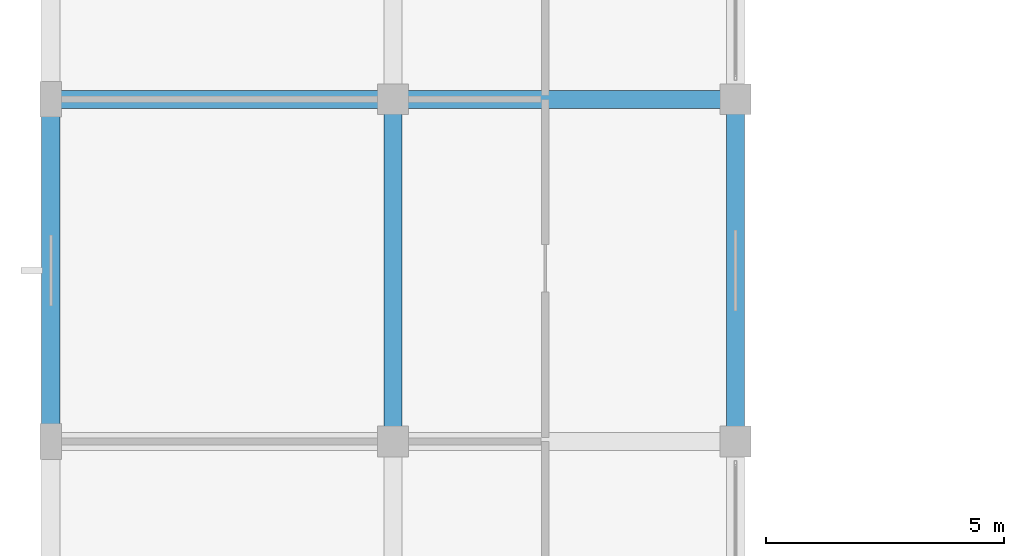
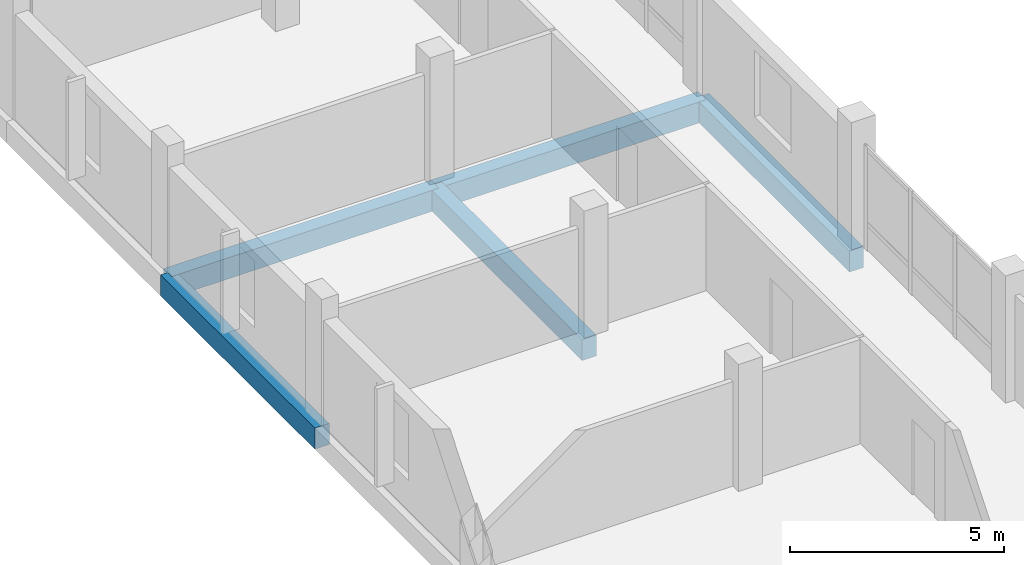
# One storey, part 4 of 93: 5 beams.
"""IFC4 building model written with IfcOpenShell, lengths in metres."""

from ifc_helpers import new_model, si_unit, direction, frame, origin, origin_2d, place, context, subcontext, project, spatial, rectangle, extrude, material, material_profile, profile_set, type_object, element, save


model = new_model("IFC4")

# Units and contexts
model_context = context("Model", 3, precision=1e-05, world=origin(), true_north=direction((0.0, 1.0)))
body_context = subcontext(model_context, "Body", "Model", "MODEL_VIEW")
ifc_project = project(units=[si_unit("LENGTHUNIT", "METRE"), si_unit("AREAUNIT", "SQUARE_METRE"), si_unit("VOLUMEUNIT", "CUBIC_METRE"), si_unit("PLANEANGLEUNIT", "RADIAN"), si_unit("MASSUNIT", "GRAM", prefix="KILO")], contexts=[model_context])

# Site, building, storey
site_placement = place(None, origin())
site = spatial("IfcSite", under=ifc_project, at=site_placement, CompositionType="ELEMENT")
building_placement = place(site_placement, origin())
building = spatial("IfcBuilding", under=site, at=building_placement, Name="Zornivar Specialist Clinic", CompositionType="ELEMENT")
storey_placement = place(building_placement, frame((0.0, 0.0, 8.39990234375)))
storey = spatial("IfcBuildingStorey", under=building, at=storey_placement, Name="L02", CompositionType="ELEMENT", Elevation=8.39990234375)

# Beams
ifc_material_1 = material(Name="Concrete C30/37", Category="concrete")
ifc_material_profile_1 = material_profile(ifc_material_1, rectangle(XDim=0.3798828125, YDim=0.60009765625, at=origin_2d()), Name="RC 380x600")
ifc_profile_set_1 = profile_set([ifc_material_profile_1], Name="Concrete C30/37")
beam_type_1 = type_object("IfcBeamType", Name="BM-RC-380x600", PredefinedType="BEAM", material=ifc_profile_set_1)
for number, where, z_axis, x_axis, name in (
    (1, (0.0, 28.800048828125, -0.579833984375), (1.0, 0.0, 0.0), (0.0, 1.0, 0.0), "bm:V2:L02:x:288:0"),
    (2, (7.199951171875, 28.800048828125, -0.579833984375), (1.0, 0.0, 0.0), (0.0, 1.0, 0.0), "bm:V2:L02:x:288:1"),
    (3, (7.199951171875, 21.60009765625, -0.579833984375), (0.0, 1.0, 0.0), (-1.0, 0.0, 0.0), "bm:V2:L02:y:72:3"),
    (4, (14.39990234375, 21.60009765625, -0.579833984375), (0.0, 1.0, 0.0), (-1.0, 0.0, 0.0), "bm:V2:L02:y:144:3"),
):
    element("IfcBeam", number, at=place(storey_placement, frame(where, z_axis=z_axis, x_axis=x_axis)), inside=storey, type_object=beam_type_1, Name=name, PredefinedType="BEAM", context=body_context, shape_type="SweptSolid", body=[
        extrude(rectangle(XDim=0.3798828125, YDim=0.60009765625, at=origin_2d()), origin(), (0.0, 0.0, 1.0), 7.199951171875),
    ])
ifc_material_2 = material(Name="Concrete C30/37", Category="concrete")
ifc_material_profile_2 = material_profile(ifc_material_2, rectangle(XDim=0.389892578125, YDim=0.60009765625, at=origin_2d()), Name="RC 390x600")
ifc_profile_set_2 = profile_set([ifc_material_profile_2], Name="Concrete C30/37")
beam_type_2 = type_object("IfcBeamType", Name="BM-RC-SPANDREL-390x600", PredefinedType="SPANDREL", material=ifc_profile_set_2)
beam_placement = place(storey_placement, frame((0.0, 21.60009765625, -0.579833984375), z_axis=(0.0, 1.0, 0.0), x_axis=(-1.0, 0.0, 0.0)))
element("IfcBeam", 5, at=beam_placement, inside=storey, type_object=beam_type_2, Name="bm:V2:L02:y:0:3", PredefinedType="SPANDREL", context=body_context, shape_type="SweptSolid", body=[
    extrude(rectangle(XDim=0.389892578125, YDim=0.60009765625, at=origin_2d()), origin(), (0.0, 0.0, 1.0), 7.199951171875),
])

save(model, "model.ifc")
